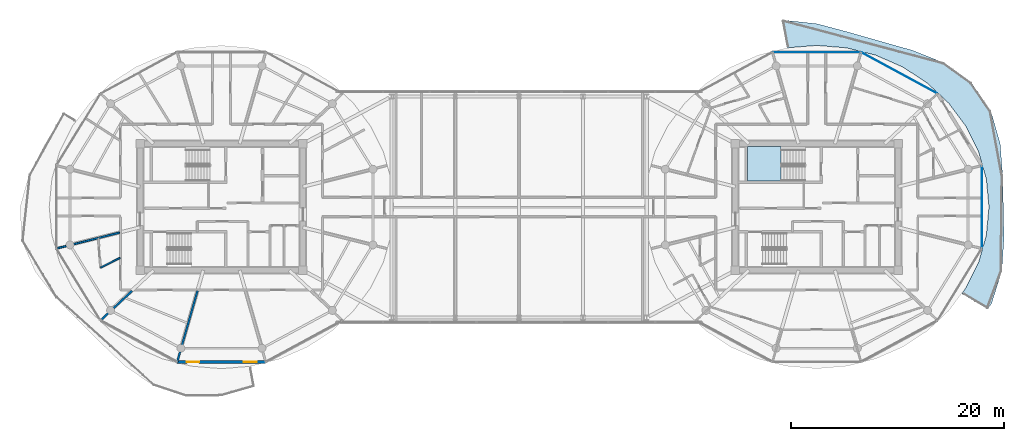
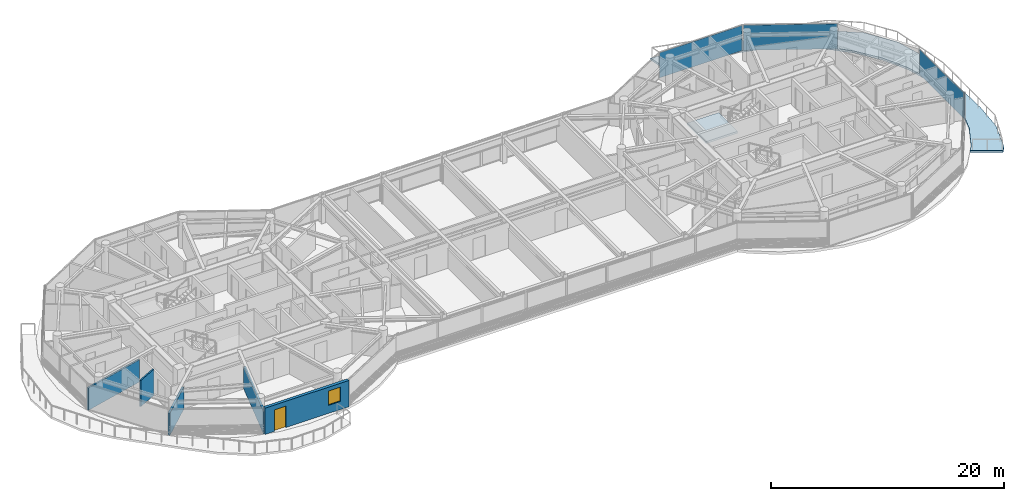
# One storey, part 12 of 24: 5 walls, 3 plates, 2 slabs, 1 door, 1 window, 2 openings, 4 elements without a shape of their own.
"""IFC4 building model written with IfcOpenShell, lengths in metres."""

from ifc_helpers import new_model, si_unit, direction, frame, frame_2d, origin, origin_2d, place, context, subcontext, project, spatial, polyline, rectangle, outline, extrude, source, transform, mapped, material, layer, layer_set, type_object, type_shapes, element, fill, aggregate, save


model = new_model("IFC4")

# Units and contexts
model_context = context("Model", 3, precision=1e-05, world=origin(), true_north=direction((0.0, 1.0)))
body_context = subcontext(model_context, "Body", "Model", "MODEL_VIEW")
ifc_project = project(units=[si_unit("LENGTHUNIT", "METRE"), si_unit("AREAUNIT", "SQUARE_METRE"), si_unit("VOLUMEUNIT", "CUBIC_METRE"), si_unit("PLANEANGLEUNIT", "RADIAN"), si_unit("MASSUNIT", "GRAM", prefix="KILO")], contexts=[model_context])

# Site, building, storey
site_placement = place(None, origin())
site = spatial("IfcSite", under=ifc_project, at=site_placement, CompositionType="ELEMENT")
building_placement = place(site_placement, origin())
building = spatial("IfcBuilding", under=site, at=building_placement, Name="Norrkilde Senior Care Towers", CompositionType="ELEMENT")
storey_placement = place(building_placement, frame((0.0, 0.0, 223.050048828125)))
storey = spatial("IfcBuildingStorey", under=building, at=storey_placement, Name="L69", CompositionType="ELEMENT", Elevation=223.050048828125)

# Slab
ifc_material_1 = material(Name="Concrete C50/60", Category="concrete")
ifc_layer_1 = layer(ifc_material_1, 0.215087890625)
ifc_layer_set_1 = layer_set([ifc_layer_1], Name="Concrete C50/60")
slab_type_1 = type_object("IfcSlabType", Name="Sinusoidal Balcony Ribbon Slab 215", PredefinedType="FLOOR", material=ifc_layer_set_1)
slab_1_placement = place(storey_placement, frame((0.0, 0.0, -0.215087890625)))
element("IfcSlab", 1, at=slab_1_placement, inside=storey, type_object=slab_type_1, Name="L69 Drum E Swirling Senior Balcony 1", PredefinedType="FLOOR", context=body_context, shape_type="SweptSolid", body=[
    extrude(outline(polyline([(44.065185546875, -9.58642578125), (41.635498046875, -8.136474609375), (42.033935546875, -7.6025390625), (43.227783203125, -5.200439453125), (43.958740234375, -2.640380859375), (44.205078125, 0.0), (43.958740234375, 2.640380859375), (43.227783203125, 5.200439453125), (42.033935546875, 7.6025390625), (40.413818359375, 9.773681640625), (38.416259765625, 11.647705078125), (36.1025390625, 13.16796875), (33.54248046875, 14.2880859375), (30.81396484375, 14.97412109375), (28.0, 15.205078125), (25.234375, 14.97802734375), (24.7509765625, 17.596435546875), (24.752197265625, 17.5966796875), (28.0, 17.243896484375), (31.05517578125, 16.431640625), (33.98681640625, 15.58935546875), (36.9619140625, 14.7548828125), (39.937744140625, 13.58056640625), (42.554443359375, 11.688232421875), (44.37353515625, 9.042236328125), (45.254638671875, 5.98681640625), (45.494384765625, 2.928955078125), (45.55419921875, 0.0), (45.616455078125, -2.951904296875), (45.4033203125, -6.04443359375), (44.4423828125, -9.084716796875), (44.065185546875, -9.58642578125)])), origin(), (0.0, 0.0, 1.0), 0.215087890625),
])

# Stair, slab
ifc_material_2 = material(Name="Concrete C45/55", Category="concrete")
stair_type = type_object("IfcStairType", Name="Core Protected Dogleg Stair Typical 3050", PredefinedType="HALF_TURN_STAIR", material=ifc_material_2)
stair_placement = place(storey_placement, origin())
stair = element("IfcStair", 2, at=stair_placement, inside=storey, type_object=stair_type, Name="L69 Protected Core Stair E1", PredefinedType="HALF_TURN_STAIR")
ifc_layer_2 = layer(ifc_material_2, 0.199951171875)
ifc_layer_set_2 = layer_set([ifc_layer_2], Name="Concrete C45/55")
slab_type_2 = type_object("IfcSlabType", Name="Stair Landing Slab 200", PredefinedType="LANDING", material=ifc_layer_set_2)
slab_2_placement = place(storey_placement, frame((0.0, 0.0, 1.324951171875)))
slab_2 = element("IfcSlab", 3, at=slab_2_placement, type_object=slab_type_2, Name="ST-E1 landing 1", PredefinedType="LANDING", context=body_context, shape_type="SweptSolid", body=[
    extrude(outline(polyline([(24.659912109375, 5.68994140625), (21.5, 5.68994140625), (21.5, 2.449951171875), (24.659912109375, 2.449951171875), (24.659912109375, 5.68994140625)])), origin(), (0.0, 0.0, 1.0), 0.199951171875),
])
aggregate(stair, [slab_2])

# Curtain wall, plate
ifc_material_3 = material(Name="Triple Low-E Insulated Glazing", Category="glass")
ifc_layer_3 = layer(ifc_material_3, 0.18505859375)
ifc_layer_set_3 = layer_set([ifc_layer_3], Name="Triple Low-E Insulated Glazing")
curtain_wall_type = type_object("IfcCurtainWallType", Name="CW6 Zone 4 Crown Pavilion Curtain Wall", PredefinedType="NOTDEFINED", material=ifc_layer_set_3)
curtain_wall_1_placement = place(storey_placement, origin())
curtain_wall_1 = element("IfcCurtainWall", 4, at=curtain_wall_1_placement, inside=storey, type_object=curtain_wall_type, Name="L69 Drum E Curtain Wall 01", PredefinedType="NOTDEFINED")
ifc_layer_4 = layer(ifc_material_3, 0.035888671875)
ifc_layer_set_4 = layer_set([ifc_layer_4], Name="Triple Low-E Insulated Glazing")
plate_type = type_object("IfcPlateType", Name="Triple Low-E Vision Curtain Panel 36", PredefinedType="CURTAIN_PANEL", material=ifc_layer_set_4)
shared_shape_1 = source(origin(), body_context, "Body", "SweptSolid", [
    extrude(rectangle(XDim=8.0673828125, YDim=0.035888671875, at=origin_2d()), origin(), (0.0, 0.0, 1.0), 2.639892578125),
])
plate_1_placement = place(storey_placement, frame((35.76611328125, 12.61474609375, 0.06005859375), z_axis=(0.0, 0.0, 1.0), x_axis=(0.879373455772, -0.476132676136, 0.0)))
plate_1 = element("IfcPlate", 5, at=plate_1_placement, type_object=plate_type, Name="CW-6 panel 1.1", PredefinedType="CURTAIN_PANEL", context=body_context, shape_type="MappedRepresentation", body=[
    mapped(shared_shape_1, transform((0.0, 0.0, 0.0), x_axis=(1.0, 0.0, 0.0), y_axis=(0.0, 1.0, 0.0), z_axis=(0.0, 0.0, 1.0), scale=1.0)),
])
aggregate(curtain_wall_1, [plate_1])

curtain_wall_2_placement = place(storey_placement, origin())
curtain_wall_2 = element("IfcCurtainWall", 6, at=curtain_wall_2_placement, inside=storey, type_object=curtain_wall_type, Name="L69 Drum E Curtain Wall 02", PredefinedType="NOTDEFINED")
shared_shape_2 = source(origin(), body_context, "Body", "SweptSolid", [
    extrude(rectangle(XDim=8.193603515625, YDim=0.035888671875, at=origin_2d()), origin(), (0.0, 0.0, 1.0), 2.639892578125),
])
plate_2_placement = place(storey_placement, frame((28.0, 14.566162109375, 0.06005859375), z_axis=(0.0, 0.0, 1.0), x_axis=(1.0, 0.0, 0.0)))
plate_2 = element("IfcPlate", 7, at=plate_2_placement, type_object=plate_type, Name="CW-6 panel 1.1", PredefinedType="CURTAIN_PANEL", context=body_context, shape_type="MappedRepresentation", body=[
    mapped(shared_shape_2, transform((0.0, 0.0, 0.0), x_axis=(1.0, 0.0, 0.0), y_axis=(0.0, 1.0, 0.0), z_axis=(0.0, 0.0, 1.0), scale=1.0)),
])
aggregate(curtain_wall_2, [plate_2])

curtain_wall_3_placement = place(storey_placement, origin())
curtain_wall_3 = element("IfcCurtainWall", 8, at=curtain_wall_3_placement, inside=storey, type_object=curtain_wall_type, Name="L69 Drum E Curtain Wall 11", PredefinedType="NOTDEFINED")
shared_shape_3 = source(origin(), body_context, "Body", "SweptSolid", [
    extrude(rectangle(XDim=7.676025390625, YDim=0.035888671875, at=origin_2d()), origin(), (0.0, 0.0, 1.0), 2.639892578125),
])
type_shapes(plate_type, [shared_shape_1, shared_shape_2, shared_shape_3])
plate_3_placement = place(storey_placement, frame((43.531982421875, 0.0, 0.06005859375), z_axis=(0.0, 0.0, 1.0), x_axis=(0.0, -1.0, 0.0)))
plate_3 = element("IfcPlate", 9, at=plate_3_placement, type_object=plate_type, Name="CW-6 panel 1.1", PredefinedType="CURTAIN_PANEL", context=body_context, shape_type="MappedRepresentation", body=[
    mapped(shared_shape_3, transform((0.0, 0.0, 0.0), x_axis=(1.0, 0.0, 0.0), y_axis=(0.0, 1.0, 0.0), z_axis=(0.0, 0.0, 1.0), scale=1.0)),
])
aggregate(curtain_wall_3, [plate_3])

# Wall, openings, door, window
ifc_material_4 = material(Name="Precast concrete C45/55", Category="concrete")
ifc_layer_5 = layer(ifc_material_4, 0.2900390625)
ifc_layer_set_5 = layer_set([ifc_layer_5], Name="Precast concrete C45/55")
wall_type_1 = type_object("IfcWallType", Name="Winter Garden Facade Wall 290", PredefinedType="SOLIDWALL", material=ifc_layer_set_5)
shared_shape_4 = source(origin(), body_context, "Body", "SweptSolid", [
    extrude(rectangle(XDim=8.32373046875, YDim=0.2900390625, at=frame_2d((4.161865234375, 0.0))), origin(), (0.0, 0.0, 1.0), 2.760009765625),
])
type_shapes(wall_type_1, [shared_shape_4])
wall_1_placement = place(storey_placement, frame((-23.838134765625, -14.566162109375, 0.0), z_axis=(0.0, 0.0, 1.0), x_axis=(-1.0, 0.0, 0.0)))
wall_1 = element("IfcWall", 10, at=wall_1_placement, inside=storey, type_object=wall_type_1, Name="L69 Drum W Balcony Access Wall 08", PredefinedType="SOLIDWALL", context=body_context, shape_type="MappedRepresentation", body=[
    mapped(shared_shape_4, transform((0.0, 0.0, 0.0), x_axis=(1.0, 0.0, 0.0), y_axis=(0.0, 1.0, 0.0), z_axis=(0.0, 0.0, 1.0), scale=1.0)),
])
opening_1_placement = place(wall_1_placement, frame((6.260009765625, 0.0, 0.0)))
opening_1 = element("IfcOpeningElement", 11, at=opening_1_placement, cuts=wall_1, Name="Opening D-09", PredefinedType="OPENING", context=body_context, shape_type="SweptSolid", body=[
    extrude(rectangle(XDim=1.14990234375, YDim=2.25, at=frame_2d((0.574951171875, 1.125))), frame((0.0, 0.155029296875, 0.0), z_axis=(0.0, -1.0, 0.0), x_axis=(1.0, 0.0, 0.0)), (0.0, 0.0, 1.0), 0.31005859375),
])
opening_2_placement = place(wall_1_placement, frame((0.85009765625, 0.0, 0.85009765625)))
opening_2 = element("IfcOpeningElement", 12, at=opening_2_placement, cuts=wall_1, Name="Opening WN-07", PredefinedType="OPENING", context=body_context, shape_type="SweptSolid", body=[
    extrude(rectangle(XDim=1.199951171875, YDim=1.5, at=frame_2d((0.60009765625, 0.75))), frame((0.0, 0.155029296875, 0.0), z_axis=(0.0, -1.0, 0.0), x_axis=(1.0, 0.0, 0.0)), (0.0, 0.0, 1.0), 0.31005859375),
])
ifc_material_5 = material(Name="Anodised Aluminium", Category="aluminium")
door_type = type_object("IfcDoorType", Name="Terrace and Balcony Glazed Door 1150x2250", OperationType="NOTDEFINED", PredefinedType="DOOR", material=ifc_material_5)
shared_shape_5 = source(origin(), body_context, "Body", "SweptSolid", [
    extrude(rectangle(XDim=1.14990234375, YDim=2.25, at=frame_2d((0.574951171875, 1.125))), frame((0.0, 0.02490234375, 0.0), z_axis=(0.0, -1.0, 0.0), x_axis=(1.0, 0.0, 0.0)), (0.0, 0.0, 1.0), 0.050048828125),
])
type_shapes(door_type, [shared_shape_5])
door_placement = place(opening_1_placement, origin())
door = element("IfcDoor", 13, at=door_placement, inside=storey, type_object=door_type, Name="L69 Drum W Outdoor Terrace Door 08", OperationType="SINGLE_SWING_LEFT", OverallHeight=2.25, OverallWidth=1.14990234375, PredefinedType="DOOR", context=body_context, shape_type="MappedRepresentation", body=[
    mapped(shared_shape_5, transform((0.0, 0.0, 0.0), x_axis=(1.0, 0.0, 0.0), y_axis=(0.0, 1.0, 0.0), z_axis=(0.0, 0.0, 1.0), scale=1.0)),
])
fill(opening_1, door)
window_type = type_object("IfcWindowType", Name="Stairwell Smoke Vent Window 1200x1500", PartitioningType="SINGLE_PANEL", PredefinedType="WINDOW", material=ifc_material_3)
shared_shape_6 = source(origin(), body_context, "Body", "SweptSolid", [
    extrude(rectangle(XDim=1.199951171875, YDim=1.5, at=frame_2d((0.60009765625, 0.75))), frame((0.0, 0.030029296875, 0.0), z_axis=(0.0, -1.0, 0.0), x_axis=(1.0, 0.0, 0.0)), (0.0, 0.0, 1.0), 0.06005859375),
])
type_shapes(window_type, [shared_shape_6])
window_placement = place(opening_2_placement, origin())
window = element("IfcWindow", 14, at=window_placement, inside=storey, type_object=window_type, Name="L69 Drum W Winter Garden Window 08", OverallHeight=1.5, OverallWidth=1.199951171875, PartitioningType="SINGLE_PANEL", PredefinedType="WINDOW", context=body_context, shape_type="MappedRepresentation", body=[
    mapped(shared_shape_6, transform((0.0, 0.0, 0.0), x_axis=(1.0, 0.0, 0.0), y_axis=(0.0, 1.0, 0.0), z_axis=(0.0, 0.0, 1.0), scale=1.0)),
])
fill(opening_2, window)

# Walls
ifc_material_6 = material(Name="Gypsum Acoustic Board")
ifc_layer_6 = layer(ifc_material_6, 0.1650390625)
ifc_layer_set_6 = layer_set([ifc_layer_6], Name="Gypsum Acoustic Board")
wall_type_2 = type_object("IfcWallType", Name="Corridor Rated Partition 165", PredefinedType="PARTITIONING", material=ifc_layer_set_6)
shared_shape_7 = source(origin(), body_context, "Body", "SweptSolid", [
    extrude(rectangle(XDim=6.1572265625, YDim=0.1650390625, at=frame_2d((3.07861328125, 0.0))), origin(), (0.0, 0.0, 1.0), 2.344970703125),
])
type_shapes(wall_type_2, [shared_shape_7])
wall_2_placement = place(storey_placement, frame((-37.580078125, -2.407470703125, 0.0), z_axis=(0.0, 0.0, 1.0), x_axis=(-0.969840867184, -0.243738984038, 0.0)))
element("IfcWall", 15, at=wall_2_placement, inside=storey, type_object=wall_type_2, Name="WL-INT-L69-W-DEM-06-0", PredefinedType="PARTITIONING", context=body_context, shape_type="MappedRepresentation", body=[
    mapped(shared_shape_7, transform((0.0, 0.0, 0.0), x_axis=(1.0, 0.0, 0.0), y_axis=(0.0, 1.0, 0.0), z_axis=(0.0, 0.0, 1.0), scale=1.0)),
])
ifc_layer_7 = layer(ifc_material_6, 0.18994140625)
ifc_layer_set_7 = layer_set([ifc_layer_7], Name="Gypsum Acoustic Board")
wall_type_3 = type_object("IfcWallType", Name="Unit Demising Acoustic Wall 190", PredefinedType="PARTITIONING", material=ifc_layer_set_7)
shared_shape_8 = source(origin(), body_context, "Body", "SweptSolid", [
    extrude(rectangle(XDim=4.089111328125, YDim=0.18994140625, at=frame_2d((2.04443359375, 0.0))), origin(), (0.0, 0.0, 1.0), 2.344970703125),
])
wall_3_placement = place(storey_placement, frame((-36.40185546875, -7.8798828125, 0.0), z_axis=(0.0, 0.0, 1.0), x_axis=(-0.729401273609, -0.684086092577, 0.0)))
element("IfcWall", 16, at=wall_3_placement, inside=storey, type_object=wall_type_3, Name="WL-INT-L69-W-DEM-07-0", PredefinedType="PARTITIONING", context=body_context, shape_type="MappedRepresentation", body=[
    mapped(shared_shape_8, transform((0.0, 0.0, 0.0), x_axis=(1.0, 0.0, 0.0), y_axis=(0.0, 1.0, 0.0), z_axis=(0.0, 0.0, 1.0), scale=1.0)),
])
shared_shape_9 = source(origin(), body_context, "Body", "SweptSolid", [
    extrude(rectangle(XDim=6.973876953125, YDim=0.18994140625, at=frame_2d((3.48681640625, 0.0))), origin(), (0.0, 0.0, 1.0), 2.344970703125),
])
type_shapes(wall_type_3, [shared_shape_8, shared_shape_9])
wall_4_placement = place(storey_placement, frame((-30.251220703125, -7.8798828125, 0.0), z_axis=(0.0, 0.0, 1.0), x_axis=(-0.274707256801, -0.961527910703, 0.0)))
element("IfcWall", 17, at=wall_4_placement, inside=storey, type_object=wall_type_3, Name="WL-INT-L69-W-DEM-08-0", PredefinedType="PARTITIONING", context=body_context, shape_type="MappedRepresentation", body=[
    mapped(shared_shape_9, transform((0.0, 0.0, 0.0), x_axis=(1.0, 0.0, 0.0), y_axis=(0.0, 1.0, 0.0), z_axis=(0.0, 0.0, 1.0), scale=1.0)),
])
ifc_layer_8 = layer(ifc_material_6, 0.139892578125)
ifc_layer_set_8 = layer_set([ifc_layer_8], Name="Gypsum Acoustic Board")
wall_type_4 = type_object("IfcWallType", Name="En-suite Wet Room Wall 140", PredefinedType="PARTITIONING", material=ifc_layer_set_8)
shared_shape_10 = source(origin(), body_context, "Body", "SweptSolid", [
    extrude(rectangle(XDim=2.059814453125, YDim=0.139892578125, at=frame_2d((1.02978515625, 0.0))), origin(), (0.0, 0.0, 1.0), 2.744873046875),
])
type_shapes(wall_type_4, [shared_shape_10])
wall_5_placement = place(storey_placement, frame((-37.530029296875, -4.7783203125, 0.0), z_axis=(0.0, 0.0, 1.0), x_axis=(-0.893952568722, -0.448161583444, 0.0)))
element("IfcWall", 18, at=wall_5_placement, inside=storey, type_object=wall_type_4, Name="WL-INT-L69-W-ES-06", PredefinedType="PARTITIONING", context=body_context, shape_type="MappedRepresentation", body=[
    mapped(shared_shape_10, transform((0.0, 0.0, 0.0), x_axis=(1.0, 0.0, 0.0), y_axis=(0.0, 1.0, 0.0), z_axis=(0.0, 0.0, 1.0), scale=1.0)),
])

save(model, "model.ifc")
